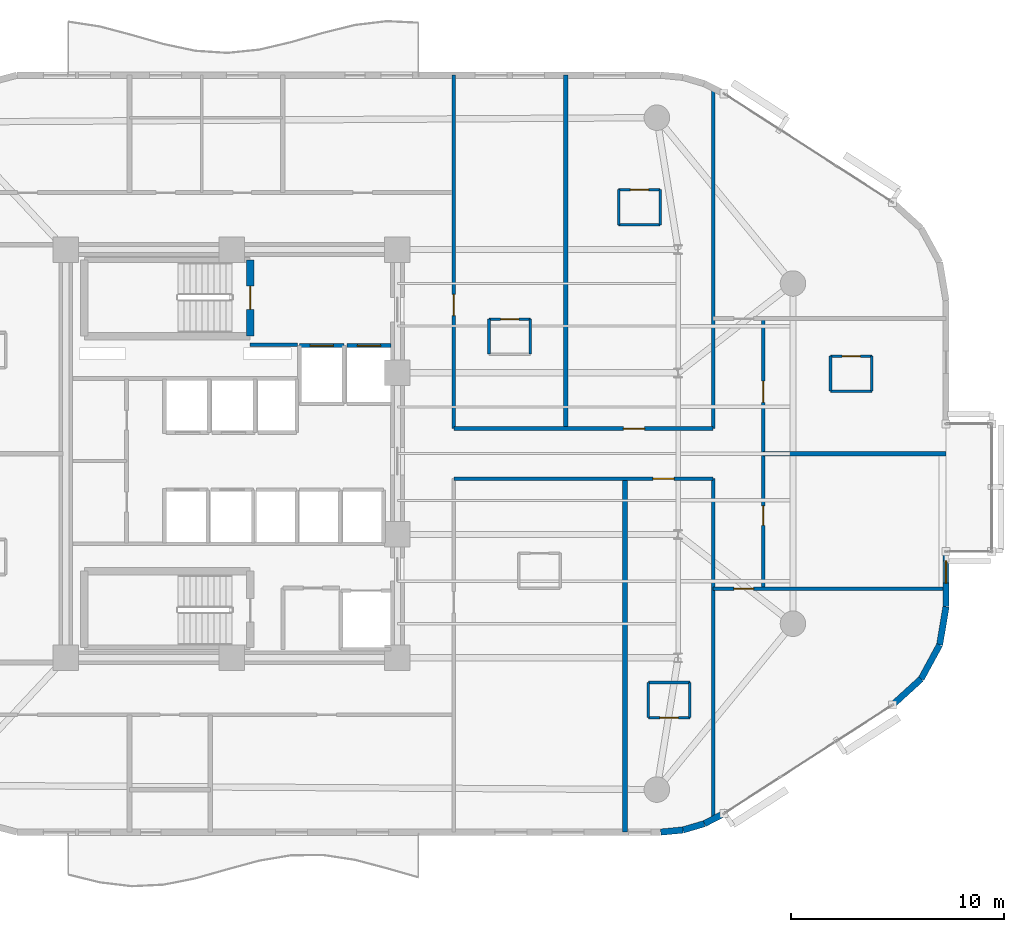
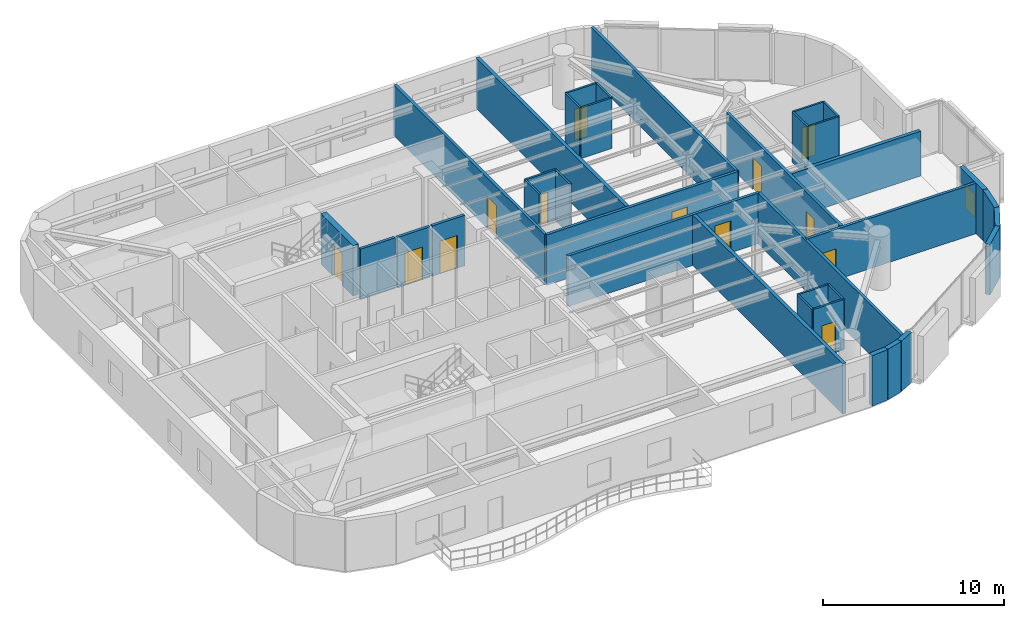
# One storey, part 13 of 16: 36 walls, 13 doors, 1 window, 14 openings.
"""IFC4 building model written with IfcOpenShell, lengths in metres."""

import ifcopenshell
import ifcopenshell.guid

model = None  # the IFC model being written
_history = None  # IfcOwnerHistory: only IFC2X3 demands one
_inside = {}  # id of a spatial element -> (the spatial element, [elements in it])
_under = {}  # id of a project, library or spatial element -> (it, [spatial elements below it])
_declared = {}  # id of a project -> (the project, [libraries it declares])
_typed = {}  # id of a type object -> (the type object, [elements of that type])
_made_of = {}  # id of a material, layer set ... -> (it, [elements and type objects made of it])


def new_model(schema):
    """Start an empty IFC model of exactly this schema.

    Asked for "IFC4X3", IfcOpenShell would pick the latest addendum, in which some entities
    have other attributes; the version numbers below select the first issue.
    IFC2X3 requires an IfcOwnerHistory on every rooted entity: one is made here for all.
    """
    global model, _history
    if schema == "IFC4X3":
        model = ifcopenshell.file(schema_version=(4, 3, 0, 0))
    else:
        model = ifcopenshell.file(schema=schema)
    _inside.clear()
    _under.clear()
    _declared.clear()
    _typed.clear()
    _made_of.clear()
    _history = None
    if model.schema == "IFC2X3":
        org = make("IfcOrganization", Name="unknown")
        user = make(
            "IfcPersonAndOrganization",
            ThePerson=make("IfcPerson", FamilyName="unknown"),
            TheOrganization=org,
        )
        app = make(
            "IfcApplication",
            ApplicationDeveloper=org,
            Version="unknown",
            ApplicationFullName="unknown",
            ApplicationIdentifier="unknown",
        )
        _history = make(
            "IfcOwnerHistory",
            OwningUser=user,
            OwningApplication=app,
            ChangeAction="ADDED",
            CreationDate=0,
        )
    return model


def make(cls, **values):
    """One entity of the class cls with the attributes given. An attribute that is None is left unset."""
    return model.create_entity(
        cls, **{name: value for name, value in values.items() if value is not None}
    )


def rooted(cls, **values):
    """An entity with a GlobalId (a new one), such as an element, a storey or a relation."""
    return make(cls, GlobalId=ifcopenshell.guid.new(), OwnerHistory=_history, **values)


def si_unit(unit_type, name, prefix=None):
    """IfcSIUnit, for example si_unit("LENGTHUNIT", "METRE", prefix="MILLI")."""
    return make("IfcSIUnit", UnitType=unit_type, Prefix=prefix, Name=name)


def assignment(units):
    """IfcUnitAssignment: the units of a project."""
    return None if units is None else make("IfcUnitAssignment", Units=units)


def point(xyz):
    """IfcCartesianPoint."""
    return None if xyz is None else make("IfcCartesianPoint", Coordinates=xyz)


def direction(xyz):
    """IfcDirection."""
    return None if xyz is None else make("IfcDirection", DirectionRatios=xyz)


def frame(location, z_axis=None, x_axis=None):
    """IfcAxis2Placement3D, a coordinate frame: its origin and axes. An axis left out is left unset."""
    return make(
        "IfcAxis2Placement3D",
        Location=point(location),
        Axis=direction(z_axis),
        RefDirection=direction(x_axis),
    )


def frame_2d(location, x_axis=None):
    """IfcAxis2Placement2D, a coordinate frame in the plane: its origin and x axis."""
    return make(
        "IfcAxis2Placement2D", Location=point(location), RefDirection=direction(x_axis)
    )


def origin():
    """The frame at (0, 0, 0) with its axes left unset."""
    return frame((0.0, 0.0, 0.0))


def place(relative_to, where):
    """IfcLocalPlacement: puts the frame where relative to a parent placement (None: the world)."""
    return make(
        "IfcLocalPlacement", PlacementRelTo=relative_to, RelativePlacement=where
    )


def context(
    kind, dimensions, precision=None, world=None, true_north=None, identifier=None
):
    """IfcGeometricRepresentationContext, for example the 3D "Model" context."""
    return make(
        "IfcGeometricRepresentationContext",
        ContextIdentifier=identifier,
        ContextType=kind,
        CoordinateSpaceDimension=dimensions,
        Precision=precision,
        WorldCoordinateSystem=world,
        TrueNorth=true_north,
    )


def subcontext(parent, identifier, kind, view, scale=None):
    """IfcGeometricRepresentationSubContext, for example "Body" below "Model"."""
    return make(
        "IfcGeometricRepresentationSubContext",
        ContextIdentifier=identifier,
        ContextType=kind,
        ParentContext=parent,
        TargetScale=scale,
        TargetView=view,
    )


def project(units=None, contexts=None):
    """IfcProject with its units and contexts."""
    return rooted(
        "IfcProject",
        Name="project",
        RepresentationContexts=contexts,
        UnitsInContext=assignment(units),
    )


def spatial(cls, under=None, at=None, **own):
    """A site, building, storey or space (cls), placed at a placement, below another one or the project."""
    s = rooted(cls, ObjectPlacement=at, **own)
    if under is not None:
        _under.setdefault(under.id(), (under, []))[1].append(s)
    return s


def profile(cls, at=None, kind="AREA", **sizes):
    """A parametric profile (cls). Its sizes go by their IFC names, for example OverallWidth=200.0."""
    return make(cls, ProfileType=kind, Position=at, **sizes)


def rectangle(**sizes):
    """IfcRectangleProfileDef."""
    return profile("IfcRectangleProfileDef", **sizes)


def extrude(swept, where, along, depth):
    """IfcExtrudedAreaSolid: the profile swept, set in the frame where, extruded along a direction by depth."""
    return make(
        "IfcExtrudedAreaSolid",
        SweptArea=swept,
        Position=where,
        ExtrudedDirection=direction(along),
        Depth=depth,
    )


def shape(context_of_items, identifier, shape_type, items):
    """IfcShapeRepresentation: the items that make up one representation, for example the "Body"."""
    return make(
        "IfcShapeRepresentation",
        ContextOfItems=context_of_items,
        RepresentationIdentifier=identifier,
        RepresentationType=shape_type,
        Items=items,
    )


def material(Name=None, Category=None):
    """IfcMaterial."""
    return make("IfcMaterial", Name=Name, Category=Category)


def layer(
    of_material, thickness, ventilated=None, Name=None, Category=None, Priority=None
):
    """IfcMaterialLayer: one layer of a wall or slab, of a material (None: an air gap)."""
    return make(
        "IfcMaterialLayer",
        Material=of_material,
        LayerThickness=thickness,
        IsVentilated=ventilated,
        Name=Name,
        Category=Category,
        Priority=Priority,
    )


def layer_set(layers, Name=None):
    """IfcMaterialLayerSet."""
    return make("IfcMaterialLayerSet", MaterialLayers=layers, LayerSetName=Name)


def made_of(thing, what):
    """Note that an element or type object is made of a material, layer set ...; save() writes the relation."""
    if what is not None:
        _made_of.setdefault(what.id(), (what, []))[1].append(thing)
    return thing


def type_object(cls, material=None, **own):
    """A type object (cls), such as IfcWallType, which elements share."""
    return made_of(rooted(cls, **own), material)


def element(
    cls,
    number,
    at=None,
    inside=None,
    cuts=None,
    type_object=None,
    material=None,
    context=None,
    identifier="Body",
    shape_type=None,
    held_by="IfcProductDefinitionShape",
    body=None,
    shapes=None,
    **own,
):
    """One element of the class cls, such as IfcWall. Its Tag is "e" and its number.

    at: its placement. inside: the storey or other place that contains it. cuts: it is an
    opening in that element (IfcRelVoidsElement). A single representation is given by context,
    identifier, shape_type and body (its items); several are given by shapes. held_by: the class
    of the entity that holds the representations. save() writes the other relations.
    """
    e = rooted(cls, Tag="e%d" % number, ObjectPlacement=at, **own)
    if body is not None:
        shapes = [shape(context, identifier, shape_type, body)]
    if shapes is not None:
        e.Representation = make(held_by, Representations=shapes)
    if inside is not None:
        _inside.setdefault(inside.id(), (inside, []))[1].append(e)
    if cuts is not None:
        rooted(
            "IfcRelVoidsElement", RelatingBuildingElement=cuts, RelatedOpeningElement=e
        )
    if type_object is not None:
        _typed.setdefault(type_object.id(), (type_object, []))[1].append(e)
    return made_of(e, material)


def fill(opening, filler):
    """IfcRelFillsElement: the door or window that sits in an opening."""
    return rooted(
        "IfcRelFillsElement",
        RelatingOpeningElement=opening,
        RelatedBuildingElement=filler,
    )


def aggregate(whole, parts):
    """IfcRelAggregates: a whole, such as a stair, and the parts it consists of."""
    return rooted("IfcRelAggregates", RelatingObject=whole, RelatedObjects=parts)


def save(model, path):
    """Write the relations noted so far, then the file.

    IfcRelAggregates (storeys below a building ...), IfcRelContainedInSpatialStructure (elements
    in a storey), IfcRelDefinesByType, IfcRelAssociatesMaterial and IfcRelDeclares: one each for
    every whole, place, type object, material and project.
    """
    for whole, parts in _under.values():
        aggregate(whole, parts)
    for where, things in _inside.values():
        rooted(
            "IfcRelContainedInSpatialStructure",
            RelatedElements=things,
            RelatingStructure=where,
        )
    for kind, things in _typed.values():
        rooted("IfcRelDefinesByType", RelatedObjects=things, RelatingType=kind)
    for what, things in _made_of.values():
        rooted("IfcRelAssociatesMaterial", RelatedObjects=things, RelatingMaterial=what)
    for by, libraries in _declared.values():
        rooted("IfcRelDeclares", RelatingContext=by, RelatedDefinitions=libraries)
    model.write(path)


model = new_model("IFC4")

# Units and contexts
model_context = context("Model", 3, precision=1e-05, world=origin(), true_north=direction((0.0, 1.0)))
body_context = subcontext(model_context, "Body", "Model", "MODEL_VIEW")
ifc_project = project(units=[si_unit("LENGTHUNIT", "METRE"), si_unit("AREAUNIT", "SQUARE_METRE"), si_unit("VOLUMEUNIT", "CUBIC_METRE"), si_unit("PLANEANGLEUNIT", "RADIAN"), si_unit("MASSUNIT", "GRAM", prefix="KILO")], contexts=[model_context])

# Site, building, storey
site_placement = place(None, origin())
site = spatial("IfcSite", under=ifc_project, at=site_placement, CompositionType="ELEMENT")
building_placement = place(site_placement, origin())
building = spatial("IfcBuilding", under=site, at=building_placement, Name="An Khanh Terracotta Commons", CompositionType="ELEMENT")
storey_placement = place(building_placement, frame((0.0, 0.0, 151.0)))
storey = spatial("IfcBuildingStorey", under=building, at=storey_placement, Name="L39", CompositionType="ELEMENT", Elevation=151.0)

# Wall
ifc_material_1 = material(Name="Fire-Rated Gypsum Board on Steel Stud", Category="steel")
ifc_layer_1 = layer(ifc_material_1, 0.179931640625, Name="Fire-Rated Gypsum Board on Steel Stud")
ifc_layer_set_1 = layer_set([ifc_layer_1], Name="Fire-Rated Gypsum Board on Steel Stud")
wall_type_1 = type_object("IfcWallType", Name="WALL-CORR-180", PredefinedType="PARTITIONING", material=ifc_layer_set_1)
wall_1_placement = place(storey_placement, frame((30.27001953125, 29.1201171875, 0.0), z_axis=(0.0, 0.0, 1.0), x_axis=(1.0, 0.0, 0.0)))
element("IfcWall", 1, at=wall_1_placement, inside=storey, type_object=wall_type_1, Name="L39 Core Wall FFLW-L39-S", PredefinedType="PARTITIONING", context=body_context, shape_type="SweptSolid", body=[
    extrude(rectangle(XDim=2.239990234375, YDim=0.179931640625, at=frame_2d((1.1201171875, 0.0))), origin(), (0.0, 0.0, 1.0), 3.39990234375),
])

# Wall, opening, door
wall_2_placement = place(storey_placement, frame((32.60009765625, 29.080078125, 0.0), z_axis=(0.0, 0.0, 1.0), x_axis=(1.0, 0.0, 0.0)))
wall_2 = element("IfcWall", 2, at=wall_2_placement, inside=storey, type_object=wall_type_1, Name="L39 Core Wall LSH-L39-FFL-01-N", PredefinedType="PARTITIONING", context=body_context, shape_type="SweptSolid", body=[
    extrude(rectangle(XDim=2.079833984375, YDim=0.179931640625, at=frame_2d((1.0400390625, 0.0))), origin(), (0.0, 0.0, 1.0), 3.39990234375),
])
opening_1_placement = place(wall_2_placement, frame((0.489990234375, 0.0, 0.0)))
opening_1 = element("IfcOpeningElement", 3, at=opening_1_placement, cuts=wall_2, Name="Opening LD-FFL-01-L39", PredefinedType="OPENING", context=body_context, shape_type="SweptSolid", body=[
    extrude(rectangle(XDim=1.10009765625, YDim=2.199951171875, at=frame_2d((0.550048828125, 1.10009765625))), frame((0.0, 0.099853515625, 0.0), z_axis=(0.0, -1.0, 0.0), x_axis=(1.0, 0.0, 0.0)), (0.0, 0.0, 1.0), 0.199951171875),
])
ifc_material_2 = material(Name="Brushed Stainless Steel Fire Landing Door", Category="steel")
door_type_1 = type_object("IfcDoorType", Name="DOOR-LD-FFL-1100", OperationType="NOTDEFINED", PredefinedType="DOOR", material=ifc_material_2)
door_1_placement = place(opening_1_placement, origin())
door_1 = element("IfcDoor", 4, at=door_1_placement, inside=storey, type_object=door_type_1, Name="L39 Lift FFL-01 Sliding Landing Door", OperationType="DOUBLE_DOOR_SLIDING", OverallHeight=2.199951171875, OverallWidth=1.10009765625, PredefinedType="DOOR", context=body_context, shape_type="SweptSolid", body=[
    extrude(rectangle(XDim=1.10009765625, YDim=2.199951171875, at=frame_2d((0.550048828125, 1.10009765625))), frame((0.0, 0.02490234375, 0.0), z_axis=(0.0, -1.0, 0.0), x_axis=(1.0, 0.0, 0.0)), (0.0, 0.0, 1.0), 0.050048828125),
])
fill(opening_1, door_1)

wall_3_placement = place(storey_placement, frame((34.820068359375, 29.080078125, 0.0), z_axis=(0.0, 0.0, 1.0), x_axis=(1.0, 0.0, 0.0)))
wall_3 = element("IfcWall", 5, at=wall_3_placement, inside=storey, type_object=wall_type_1, Name="L39 Core Wall LSH-L39-FFL-02-N", PredefinedType="PARTITIONING", context=body_context, shape_type="SweptSolid", body=[
    extrude(rectangle(XDim=2.079833984375, YDim=0.179931640625, at=frame_2d((1.0400390625, 0.0))), origin(), (0.0, 0.0, 1.0), 3.39990234375),
])
opening_2_placement = place(wall_3_placement, frame((0.489990234375, 0.0, 0.0)))
opening_2 = element("IfcOpeningElement", 6, at=opening_2_placement, cuts=wall_3, Name="Opening LD-FFL-02-L39", PredefinedType="OPENING", context=body_context, shape_type="SweptSolid", body=[
    extrude(rectangle(XDim=1.10009765625, YDim=2.199951171875, at=frame_2d((0.550048828125, 1.10009765625))), frame((0.0, 0.099853515625, 0.0), z_axis=(0.0, -1.0, 0.0), x_axis=(1.0, 0.0, 0.0)), (0.0, 0.0, 1.0), 0.199951171875),
])
door_2_placement = place(opening_2_placement, origin())
door_2 = element("IfcDoor", 7, at=door_2_placement, inside=storey, type_object=door_type_1, Name="L39 Lift FFL-02 Sliding Landing Door", OperationType="DOUBLE_DOOR_SLIDING", OverallHeight=2.199951171875, OverallWidth=1.10009765625, PredefinedType="DOOR", context=body_context, shape_type="SweptSolid", body=[
    extrude(rectangle(XDim=1.10009765625, YDim=2.199951171875, at=frame_2d((0.550048828125, 1.10009765625))), frame((0.0, 0.02490234375, 0.0), z_axis=(0.0, -1.0, 0.0), x_axis=(1.0, 0.0, 0.0)), (0.0, 0.0, 1.0), 0.050048828125),
])
fill(opening_2, door_2)

wall_4_placement = place(storey_placement, frame((52.050048828125, 17.64990234375, 0.0), z_axis=(0.0, 0.0, 1.0), x_axis=(1.0, 0.0, 0.0)))
wall_4 = element("IfcWall", 8, at=wall_4_placement, inside=storey, type_object=wall_type_1, Name="L39 Interior Partition IW-L39-E004", PredefinedType="PARTITIONING", context=body_context, shape_type="SweptSolid", body=[
    extrude(rectangle(XDim=10.949951171875, YDim=0.179931640625, at=frame_2d((5.47509765625, 0.0))), origin(), (0.0, 0.0, 1.0), 3.39990234375),
])
opening_3_placement = place(wall_4_placement, frame((0.97509765625, 0.0, 0.0)))
opening_3 = element("IfcOpeningElement", 9, at=opening_3_placement, cuts=wall_4, Name="Opening D-RM", PredefinedType="OPENING", context=body_context, shape_type="SweptSolid", body=[
    extrude(rectangle(XDim=0.919921875, YDim=2.10009765625, at=frame_2d((0.4599609375, 1.050048828125))), frame((0.0, 0.099853515625, 0.0), z_axis=(0.0, -1.0, 0.0), x_axis=(1.0, 0.0, 0.0)), (0.0, 0.0, 1.0), 0.199951171875),
])
ifc_material_3 = material(Name="Engineered Hardwood Timber Leaf", Category="wood")
door_type_2 = type_object("IfcDoorType", Name="DOOR-INT-920", OperationType="NOTDEFINED", PredefinedType="DOOR", material=ifc_material_3)
door_3_placement = place(opening_3_placement, origin())
door_3 = element("IfcDoor", 10, at=door_3_placement, inside=storey, type_object=door_type_2, Name="L39 CAPS Quiet Focus Office Door", OperationType="SINGLE_SWING_LEFT", OverallHeight=2.10009765625, OverallWidth=0.919921875, PredefinedType="DOOR", context=body_context, shape_type="SweptSolid", body=[
    extrude(rectangle(XDim=0.919921875, YDim=2.10009765625, at=frame_2d((0.4599609375, 1.050048828125))), frame((0.0, 0.02490234375, 0.0), z_axis=(0.0, -1.0, 0.0), x_axis=(1.0, 0.0, 0.0)), (0.0, 0.0, 1.0), 0.050048828125),
])
fill(opening_3, door_3)

wall_5_placement = place(storey_placement, frame((39.85009765625, 22.820068359375, 0.0), z_axis=(0.0, 0.0, 1.0), x_axis=(1.0, 0.0, 0.0)))
wall_5 = element("IfcWall", 11, at=wall_5_placement, inside=storey, type_object=wall_type_1, Name="L39 Interior Partition IW-L39-E005", PredefinedType="PARTITIONING", context=body_context, shape_type="SweptSolid", body=[
    extrude(rectangle(XDim=12.199951171875, YDim=0.179931640625, at=frame_2d((6.10009765625, 0.0))), origin(), (0.0, 0.0, 1.0), 3.39990234375),
])
opening_4_placement = place(wall_5_placement, frame((9.365966796875, 0.0, 0.0)))
opening_4 = element("IfcOpeningElement", 12, at=opening_4_placement, cuts=wall_5, Name="Opening D-UN", PredefinedType="OPENING", context=body_context, shape_type="SweptSolid", body=[
    extrude(rectangle(XDim=1.0, YDim=2.14990234375, at=frame_2d((0.5, 1.074951171875))), frame((0.0, 0.099853515625, 0.0), z_axis=(0.0, -1.0, 0.0), x_axis=(1.0, 0.0, 0.0)), (0.0, 0.0, 1.0), 0.199951171875),
])
ifc_material_4 = material(Name="Solid-Core Hardwood Acoustic Fire Door", Category="wood")
door_type_3 = type_object("IfcDoorType", Name="DOOR-UNIT-1000", OperationType="NOTDEFINED", PredefinedType="DOOR", material=ifc_material_4)
door_4_placement = place(opening_4_placement, origin())
door_4 = element("IfcDoor", 13, at=door_4_placement, inside=storey, type_object=door_type_3, Name="L39 SB2 Kitchenette and Studio Apartment Door", OperationType="SINGLE_SWING_LEFT", OverallHeight=2.14990234375, OverallWidth=1.0, PredefinedType="DOOR", context=body_context, shape_type="SweptSolid", body=[
    extrude(rectangle(XDim=1.0, YDim=2.14990234375, at=frame_2d((0.5, 1.074951171875))), frame((0.0, 0.02490234375, 0.0), z_axis=(0.0, -1.0, 0.0), x_axis=(1.0, 0.0, 0.0)), (0.0, 0.0, 1.0), 0.050048828125),
])
fill(opening_4, door_4)

wall_6_placement = place(storey_placement, frame((39.85009765625, 25.179931640625, 0.0), z_axis=(0.0, 0.0, 1.0), x_axis=(1.0, 0.0, 0.0)))
wall_6 = element("IfcWall", 14, at=wall_6_placement, inside=storey, type_object=wall_type_1, Name="L39 Interior Partition IW-L39-E008", PredefinedType="PARTITIONING", context=body_context, shape_type="SweptSolid", body=[
    extrude(rectangle(XDim=12.199951171875, YDim=0.179931640625, at=frame_2d((6.10009765625, 0.0))), origin(), (0.0, 0.0, 1.0), 3.39990234375),
])
opening_5_placement = place(wall_6_placement, frame((7.969970703125, 0.0, 0.0)))
opening_5 = element("IfcOpeningElement", 15, at=opening_5_placement, cuts=wall_6, Name="Opening D-UN", PredefinedType="OPENING", context=body_context, shape_type="SweptSolid", body=[
    extrude(rectangle(XDim=1.0, YDim=2.14990234375, at=frame_2d((0.5, 1.074951171875))), frame((0.0, 0.099853515625, 0.0), z_axis=(0.0, -1.0, 0.0), x_axis=(1.0, 0.0, 0.0)), (0.0, 0.0, 1.0), 0.199951171875),
])
door_5_placement = place(opening_5_placement, origin())
door_5 = element("IfcDoor", 16, at=door_5_placement, inside=storey, type_object=door_type_3, Name="L39 NB2 Kitchenette and Studio Apartment Door", OperationType="SINGLE_SWING_LEFT", OverallHeight=2.14990234375, OverallWidth=1.0, PredefinedType="DOOR", context=body_context, shape_type="SweptSolid", body=[
    extrude(rectangle(XDim=1.0, YDim=2.14990234375, at=frame_2d((0.5, 1.074951171875))), frame((0.0, 0.02490234375, 0.0), z_axis=(0.0, -1.0, 0.0), x_axis=(1.0, 0.0, 0.0)), (0.0, 0.0, 1.0), 0.050048828125),
])
fill(opening_5, door_5)

wall_7_placement = place(storey_placement, frame((39.85009765625, 25.179931640625, 0.0), z_axis=(0.0, 0.0, 1.0), x_axis=(0.0, 1.0, 0.0)))
wall_7 = element("IfcWall", 17, at=wall_7_placement, inside=storey, type_object=wall_type_1, Name="L39 Interior Partition IW-L39-E021", PredefinedType="PARTITIONING", context=body_context, shape_type="SweptSolid", body=[
    extrude(rectangle(XDim=16.6201171875, YDim=0.179931640625, at=frame_2d((8.31005859375, 0.0))), origin(), (0.0, 0.0, 1.0), 3.39990234375),
])
opening_6_placement = place(wall_7_placement, frame((5.31005859375, 0.0, 0.0)))
opening_6 = element("IfcOpeningElement", 18, at=opening_6_placement, cuts=wall_7, Name="Opening D-UN", PredefinedType="OPENING", context=body_context, shape_type="SweptSolid", body=[
    extrude(rectangle(XDim=1.0, YDim=2.14990234375, at=frame_2d((0.5, 1.074951171875))), frame((0.0, 0.099853515625, 0.0), z_axis=(0.0, -1.0, 0.0), x_axis=(1.0, 0.0, 0.0)), (0.0, 0.0, 1.0), 0.199951171875),
])
door_6_placement = place(opening_6_placement, origin())
door_6 = element("IfcDoor", 19, at=door_6_placement, inside=storey, type_object=door_type_3, Name="L39 NB1 Kitchenette and Studio Apartment Door", OperationType="SINGLE_SWING_RIGHT", OverallHeight=2.14990234375, OverallWidth=1.0, PredefinedType="DOOR", context=body_context, shape_type="SweptSolid", body=[
    extrude(rectangle(XDim=1.0, YDim=2.14990234375, at=frame_2d((0.5, 1.074951171875))), frame((0.0, 0.02490234375, 0.0), z_axis=(0.0, -1.0, 0.0), x_axis=(1.0, 0.0, 0.0)), (0.0, 0.0, 1.0), 0.050048828125),
])
fill(opening_6, door_6)

# Walls
for number, where, z_axis, x_axis, name in (
    (20, (52.050048828125, 6.81201171875, 0.0), (0.0, 0.0, 1.0), (0.0, 1.0, 0.0), "L39 Interior Partition IW-L39-E024"),
    (21, (52.050048828125, 25.179931640625, 0.0), (0.0, 0.0, 1.0), (0.0, 1.0, 0.0), "L39 Interior Partition IW-L39-E025"),
):
    element("IfcWall", number, at=place(storey_placement, frame(where, z_axis=z_axis, x_axis=x_axis)), inside=storey, type_object=wall_type_1, Name=name, PredefinedType="PARTITIONING", context=body_context, shape_type="SweptSolid", body=[
        extrude(rectangle(XDim=16.008056640625, YDim=0.179931640625, at=frame_2d((8.00390625, 0.0))), origin(), (0.0, 0.0, 1.0), 3.39990234375),
    ])

# Wall, openings, doors
wall_8_placement = place(storey_placement, frame((54.39990234375, 17.64990234375, 0.0), z_axis=(0.0, 0.0, 1.0), x_axis=(0.0, 1.0, 0.0)))
wall_8 = element("IfcWall", 22, at=wall_8_placement, inside=storey, type_object=wall_type_1, Name="L39 Interior Partition IW-L39-E026", PredefinedType="PARTITIONING", context=body_context, shape_type="SweptSolid", body=[
    extrude(rectangle(XDim=12.7001953125, YDim=0.179931640625, at=frame_2d((6.35009765625, 0.0))), origin(), (0.0, 0.0, 1.0), 3.39990234375),
])
opening_7_placement = place(wall_8_placement, frame((8.764892578125, 0.0, 0.0)))
opening_7 = element("IfcOpeningElement", 23, at=opening_7_placement, cuts=wall_8, Name="Opening D-UN", PredefinedType="OPENING", context=body_context, shape_type="SweptSolid", body=[
    extrude(rectangle(XDim=1.0, YDim=2.14990234375, at=frame_2d((0.5, 1.074951171875))), frame((0.0, 0.099853515625, 0.0), z_axis=(0.0, -1.0, 0.0), x_axis=(1.0, 0.0, 0.0)), (0.0, 0.0, 1.0), 0.199951171875),
])
opening_8_placement = place(wall_8_placement, frame((2.97509765625, 0.0, 0.0)))
opening_8 = element("IfcOpeningElement", 24, at=opening_8_placement, cuts=wall_8, Name="Opening D-RM", PredefinedType="OPENING", context=body_context, shape_type="SweptSolid", body=[
    extrude(rectangle(XDim=0.919921875, YDim=2.10009765625, at=frame_2d((0.4599609375, 1.050048828125))), frame((0.0, 0.099853515625, 0.0), z_axis=(0.0, -1.0, 0.0), x_axis=(1.0, 0.0, 0.0)), (0.0, 0.0, 1.0), 0.199951171875),
])
door_7_placement = place(opening_8_placement, origin())
door_7 = element("IfcDoor", 25, at=door_7_placement, inside=storey, type_object=door_type_2, Name="L39 EF2 Riverfront Study Lounge Door", OperationType="SINGLE_SWING_LEFT", OverallHeight=2.10009765625, OverallWidth=0.919921875, PredefinedType="DOOR", context=body_context, shape_type="SweptSolid", body=[
    extrude(rectangle(XDim=0.919921875, YDim=2.10009765625, at=frame_2d((0.4599609375, 1.050048828125))), frame((0.0, 0.02490234375, 0.0), z_axis=(0.0, -1.0, 0.0), x_axis=(1.0, 0.0, 0.0)), (0.0, 0.0, 1.0), 0.050048828125),
])
fill(opening_8, door_7)
door_8_placement = place(opening_7_placement, origin())
door_8 = element("IfcDoor", 26, at=door_8_placement, inside=storey, type_object=door_type_3, Name="L39 EF1 Kitchenette and Studio Apartment Door", OperationType="SINGLE_SWING_RIGHT", OverallHeight=2.14990234375, OverallWidth=1.0, PredefinedType="DOOR", context=body_context, shape_type="SweptSolid", body=[
    extrude(rectangle(XDim=1.0, YDim=2.14990234375, at=frame_2d((0.5, 1.074951171875))), frame((0.0, 0.02490234375, 0.0), z_axis=(0.0, -1.0, 0.0), x_axis=(1.0, 0.0, 0.0)), (0.0, 0.0, 1.0), 0.050048828125),
])
fill(opening_7, door_8)

# Walls
ifc_material_5 = material(Name="Precast concrete C40/50", Category="concrete")
ifc_layer_2 = layer(ifc_material_5, 0.300048828125, Name="Precast concrete C40/50")
ifc_layer_set_2 = layer_set([ifc_layer_2], Name="Precast concrete C40/50")
wall_type_2 = type_object("IfcWallType", Name="WALL-EXT-300", PredefinedType="SOLIDWALL", material=ifc_layer_set_2)
wall_9_placement = place(storey_placement, frame((49.58203125, 6.199951171875, 0.0), z_axis=(0.0, 0.0, 1.0), x_axis=(0.995426089968, 0.095534807324, 0.0)))
element("IfcWall", 27, at=wall_9_placement, inside=storey, type_object=wall_type_2, Name="L39 Insulated Terracotta Exterior Wall 5", PredefinedType="SOLIDWALL", context=body_context, shape_type="SweptSolid", body=[
    extrude(rectangle(XDim=1.0478515625, YDim=0.300048828125, at=frame_2d((0.52392578125, 0.0))), origin(), (0.0, 0.0, 1.0), 3.39990234375),
])
wall_10_placement = place(storey_placement, frame((50.625, 6.300048828125, 0.0), z_axis=(0.0, 0.0, 1.0), x_axis=(0.959528674476, 0.281610942363, 0.0)))
element("IfcWall", 28, at=wall_10_placement, inside=storey, type_object=wall_type_2, Name="L39 Insulated Terracotta Exterior Wall 6", PredefinedType="SOLIDWALL", context=body_context, shape_type="SweptSolid", body=[
    extrude(rectangle(XDim=1.04736328125, YDim=0.300048828125, at=frame_2d((0.523681640625, 0.0))), origin(), (0.0, 0.0, 1.0), 3.39990234375),
])
wall_11_placement = place(storey_placement, frame((51.6298828125, 6.594970703125, 0.0), z_axis=(0.0, 0.0, 1.0), x_axis=(0.888283247196, 0.459296062198, 0.0)))
element("IfcWall", 29, at=wall_11_placement, inside=storey, type_object=wall_type_2, Name="L39 Insulated Terracotta Exterior Wall 7", PredefinedType="SOLIDWALL", context=body_context, shape_type="SweptSolid", body=[
    extrude(rectangle(XDim=1.047119140625, YDim=0.300048828125, at=frame_2d((0.5234375, 0.0))), origin(), (0.0, 0.0, 1.0), 3.39990234375),
])
wall_12_placement = place(storey_placement, frame((60.47802734375, 12.176025390625, 0.0), z_axis=(0.0, 0.0, 1.0), x_axis=(0.73947929393, 0.673179302897, 0.0)))
element("IfcWall", 30, at=wall_12_placement, inside=storey, type_object=wall_type_2, Name="L39 Insulated Terracotta Exterior Wall 9", PredefinedType="SOLIDWALL", context=body_context, shape_type="SweptSolid", body=[
    extrude(rectangle(XDim=1.82275390625, YDim=0.300048828125, at=frame_2d((0.911376953125, 0.0))), origin(), (0.0, 0.0, 1.0), 3.39990234375),
])
wall_13_placement = place(storey_placement, frame((61.825927734375, 13.403076171875, 0.0), z_axis=(0.0, 0.0, 1.0), x_axis=(0.478608030646, 0.878028674362, 0.0)))
element("IfcWall", 31, at=wall_13_placement, inside=storey, type_object=wall_type_2, Name="L39 Insulated Terracotta Exterior Wall 10", PredefinedType="SOLIDWALL", context=body_context, shape_type="SweptSolid", body=[
    extrude(rectangle(XDim=1.822021484375, YDim=0.300048828125, at=frame_2d((0.9111328125, 0.0))), origin(), (0.0, 0.0, 1.0), 3.39990234375),
])
wall_14_placement = place(storey_placement, frame((62.697998046875, 15.0029296875, 0.0), z_axis=(0.0, 0.0, 1.0), x_axis=(0.165724081207, 0.986172159873, 0.0)))
element("IfcWall", 32, at=wall_14_placement, inside=storey, type_object=wall_type_2, Name="L39 Insulated Terracotta Exterior Wall 11", PredefinedType="SOLIDWALL", context=body_context, shape_type="SweptSolid", body=[
    extrude(rectangle(XDim=1.822265625, YDim=0.300048828125, at=frame_2d((0.9111328125, 0.0))), origin(), (0.0, 0.0, 1.0), 3.39990234375),
])

# Wall, opening, window
wall_15_placement = place(storey_placement, frame((63.0, 16.800048828125, 0.0), z_axis=(0.0, 0.0, 1.0), x_axis=(0.0, 1.0, 0.0)))
wall_15 = element("IfcWall", 33, at=wall_15_placement, inside=storey, type_object=wall_type_2, Name="L39 East Nose Wall South", PredefinedType="SOLIDWALL", context=body_context, shape_type="SweptSolid", body=[
    extrude(rectangle(XDim=2.599853515625, YDim=0.300048828125, at=frame_2d((1.2998046875, 0.0))), origin(), (0.0, 0.0, 1.0), 3.39990234375),
])
opening_9_placement = place(wall_15_placement, frame((1.10498046875, 0.0, 0.85009765625)))
opening_9 = element("IfcOpeningElement", 34, at=opening_9_placement, cuts=wall_15, Name="Opening W-06", PredefinedType="OPENING", context=body_context, shape_type="SweptSolid", body=[
    extrude(rectangle(XDim=1.050048828125, YDim=1.550048828125, at=frame_2d((0.52490234375, 0.77490234375))), frame((0.0, 0.159912109375, 0.0), z_axis=(0.0, -1.0, 0.0), x_axis=(1.0, 0.0, 0.0)), (0.0, 0.0, 1.0), 0.320068359375),
])
ifc_material_6 = material(Name="Thermally Broken Aluminium and Low-E Glass", Category="aluminium")
window_type = type_object("IfcWindowType", Name="WIN-COR-1050x1550", PartitioningType="SINGLE_PANEL", PredefinedType="WINDOW", material=ifc_material_6)
window_placement = place(opening_9_placement, origin())
window = element("IfcWindow", 35, at=window_placement, inside=storey, type_object=window_type, Name="L39 East Nose South Casement Window", OverallHeight=1.550048828125, OverallWidth=1.050048828125, PartitioningType="SINGLE_PANEL", PredefinedType="WINDOW", context=body_context, shape_type="SweptSolid", body=[
    extrude(rectangle(XDim=1.050048828125, YDim=1.550048828125, at=frame_2d((0.52490234375, 0.77490234375))), frame((0.0, 0.030029296875, 0.0), z_axis=(0.0, -1.0, 0.0), x_axis=(1.0, 0.0, 0.0)), (0.0, 0.0, 1.0), 0.06005859375),
])
fill(opening_9, window)

# Walls
ifc_material_7 = material(Name="Acoustic Double-Stud Gypsum and Mineral Wool")
ifc_layer_3 = layer(ifc_material_7, 0.219970703125, Name="Acoustic Double-Stud Gypsum and Mineral Wool")
ifc_layer_set_3 = layer_set([ifc_layer_3], Name="Acoustic Double-Stud Gypsum and Mineral Wool")
wall_type_3 = type_object("IfcWallType", Name="WALL-PARTY-220", PredefinedType="PARTITIONING", material=ifc_layer_set_3)
wall_16_placement = place(storey_placement, frame((54.39990234375, 24.0, 0.0), z_axis=(0.0, 0.0, 1.0), x_axis=(1.0, 0.0, 0.0)))
element("IfcWall", 36, at=wall_16_placement, inside=storey, type_object=wall_type_3, Name="L39 Interior Partition IW-L39-E007", PredefinedType="PARTITIONING", context=body_context, shape_type="SweptSolid", body=[
    extrude(rectangle(XDim=8.60009765625, YDim=0.219970703125, at=frame_2d((4.300048828125, 0.0))), origin(), (0.0, 0.0, 1.0), 3.02197265625),
])
for number, where, z_axis, x_axis, name in (
    (37, (45.10888671875, 25.179931640625, 0.0), (0.0, 0.0, 1.0), (0.0, 1.0, 0.0), "L39 Interior Partition IW-L39-E022"),
    (38, (47.902099609375, 6.199951171875, 0.0), (0.0, 0.0, 1.0), (0.0, 1.0, 0.0), "L39 Interior Partition IW-L39-E023"),
):
    element("IfcWall", number, at=place(storey_placement, frame(where, z_axis=z_axis, x_axis=x_axis)), inside=storey, type_object=wall_type_3, Name=name, PredefinedType="PARTITIONING", context=body_context, shape_type="SweptSolid", body=[
        extrude(rectangle(XDim=16.6201171875, YDim=0.219970703125, at=frame_2d((8.31005859375, 0.0))), origin(), (0.0, 0.0, 1.0), 3.39990234375),
    ])

# Wall, opening, door
ifc_material_8 = material(Name="Concrete C50/60", Category="concrete")
ifc_layer_4 = layer(ifc_material_8, 0.35009765625, Name="Concrete C50/60")
ifc_layer_set_4 = layer_set([ifc_layer_4], Name="Concrete C50/60")
wall_type_4 = type_object("IfcWallType", Name="WALL-SHAFT-350", PredefinedType="SOLIDWALL", material=ifc_layer_set_4)
wall_17_placement = place(storey_placement, frame((30.27001953125, 29.530029296875, 0.0), z_axis=(0.0, 0.0, 1.0), x_axis=(0.0, 1.0, 0.0)))
wall_17 = element("IfcWall", 39, at=wall_17_placement, inside=storey, type_object=wall_type_4, Name="L39 Core Wall STW-L39-N-E", PredefinedType="SOLIDWALL", context=body_context, shape_type="SweptSolid", body=[
    extrude(rectangle(XDim=3.580078125, YDim=0.35009765625, at=frame_2d((1.7900390625, 0.0))), origin(), (0.0, 0.0, 1.0), 3.39990234375),
])
opening_10_placement = place(wall_17_placement, frame((1.25, 0.0, 0.0)))
opening_10 = element("IfcOpeningElement", 40, at=opening_10_placement, cuts=wall_17, Name="Opening D-ST", PredefinedType="OPENING", context=body_context, shape_type="SweptSolid", body=[
    extrude(rectangle(XDim=1.10009765625, YDim=2.14990234375, at=frame_2d((0.550048828125, 1.074951171875))), frame((0.0, 0.18505859375, 0.0), z_axis=(0.0, -1.0, 0.0), x_axis=(1.0, 0.0, 0.0)), (0.0, 0.0, 1.0), 0.3701171875),
])
ifc_material_9 = material(Name="Fire-Rated Steel Leaf and Frame", Category="steel")
door_type_4 = type_object("IfcDoorType", Name="DOOR-STAIR-1100", OperationType="NOTDEFINED", PredefinedType="DOOR", material=ifc_material_9)
door_9_placement = place(opening_10_placement, origin())
door_9 = element("IfcDoor", 41, at=door_9_placement, inside=storey, type_object=door_type_4, Name="L39 Stair ST-01 Fire Door", OperationType="SINGLE_SWING_LEFT", OverallHeight=2.14990234375, OverallWidth=1.10009765625, PredefinedType="DOOR", context=body_context, shape_type="SweptSolid", body=[
    extrude(rectangle(XDim=1.10009765625, YDim=2.14990234375, at=frame_2d((0.550048828125, 1.074951171875))), frame((0.0, 0.02490234375, 0.0), z_axis=(0.0, -1.0, 0.0), x_axis=(1.0, 0.0, 0.0)), (0.0, 0.0, 1.0), 0.050048828125),
])
fill(opening_10, door_9)

ifc_material_10 = material(Name="Moisture-Resistant Cement Board Partition")
ifc_layer_5 = layer(ifc_material_10, 0.1201171875, Name="Moisture-Resistant Cement Board Partition")
ifc_layer_set_5 = layer_set([ifc_layer_5], Name="Moisture-Resistant Cement Board Partition")
wall_type_5 = type_object("IfcWallType", Name="WALL-WET-120", PredefinedType="PARTITIONING", material=ifc_layer_set_5)
wall_18_placement = place(storey_placement, frame((41.5048828125, 30.324951171875, 0.0), z_axis=(0.0, 0.0, 1.0), x_axis=(1.0, 0.0, 0.0)))
wall_18 = element("IfcWall", 42, at=wall_18_placement, inside=storey, type_object=wall_type_5, Name="L39 Interior Partition IW-L39-NB1-BN", PredefinedType="PARTITIONING", context=body_context, shape_type="SweptSolid", body=[
    extrude(rectangle(XDim=1.9501953125, YDim=0.1201171875, at=frame_2d((0.97509765625, 0.0))), origin(), (0.0, 0.0, 1.0), 3.39990234375),
])
opening_11_placement = place(wall_18_placement, frame((0.544921875, 0.0, 0.0)))
opening_11 = element("IfcOpeningElement", 43, at=opening_11_placement, cuts=wall_18, Name="Opening D-ENS", PredefinedType="OPENING", context=body_context, shape_type="SweptSolid", body=[
    extrude(rectangle(XDim=0.860107421875, YDim=2.10009765625, at=frame_2d((0.43017578125, 1.050048828125))), frame((0.0, 0.070068359375, 0.0), z_axis=(0.0, -1.0, 0.0), x_axis=(1.0, 0.0, 0.0)), (0.0, 0.0, 1.0), 0.14013671875),
])
ifc_material_11 = material(Name="Moisture-Resistant Hardwood Timber Leaf", Category="wood")
door_type_5 = type_object("IfcDoorType", Name="DOOR-BATH-860", OperationType="NOTDEFINED", PredefinedType="DOOR", material=ifc_material_11)
door_10_placement = place(opening_11_placement, origin())
door_10 = element("IfcDoor", 44, at=door_10_placement, inside=storey, type_object=door_type_5, Name="L39 Studio NB1 En-suite Door", OperationType="SINGLE_SWING_RIGHT", OverallHeight=2.10009765625, OverallWidth=0.860107421875, PredefinedType="DOOR", context=body_context, shape_type="SweptSolid", body=[
    extrude(rectangle(XDim=0.860107421875, YDim=2.10009765625, at=frame_2d((0.43017578125, 1.050048828125))), frame((0.0, 0.02490234375, 0.0), z_axis=(0.0, -1.0, 0.0), x_axis=(1.0, 0.0, 0.0)), (0.0, 0.0, 1.0), 0.050048828125),
])
fill(opening_11, door_10)

# Walls
for number, where, z_axis, x_axis, name in (
    (45, (41.5048828125, 30.324951171875, 0.0), (0.0, 0.0, 1.0), (0.0, -1.0, 0.0), "L39 Interior Partition IW-L39-NB1-BW"),
    (46, (43.455078125, 28.675048828125, 0.0), (0.0, 0.0, 1.0), (0.0, 1.0, 0.0), "L39 Interior Partition IW-L39-NB1-BE"),
):
    element("IfcWall", number, at=place(storey_placement, frame(where, z_axis=z_axis, x_axis=x_axis)), inside=storey, type_object=wall_type_5, Name=name, PredefinedType="PARTITIONING", context=body_context, shape_type="SweptSolid", body=[
        extrude(rectangle(XDim=1.64990234375, YDim=0.1201171875, at=frame_2d((0.824951171875, 0.0))), origin(), (0.0, 0.0, 1.0), 3.39990234375),
    ])

# Wall, opening, door
wall_19_placement = place(storey_placement, frame((47.60400390625, 36.4140625, 0.0), z_axis=(0.0, 0.0, 1.0), x_axis=(1.0, 0.0, 0.0)))
wall_19 = element("IfcWall", 47, at=wall_19_placement, inside=storey, type_object=wall_type_5, Name="L39 Interior Partition IW-L39-NB2-BN", PredefinedType="PARTITIONING", context=body_context, shape_type="SweptSolid", body=[
    extrude(rectangle(XDim=1.949951171875, YDim=0.1201171875, at=frame_2d((0.97509765625, 0.0))), origin(), (0.0, 0.0, 1.0), 3.39990234375),
])
opening_12_placement = place(wall_19_placement, frame((0.544921875, 0.0, 0.0)))
opening_12 = element("IfcOpeningElement", 48, at=opening_12_placement, cuts=wall_19, Name="Opening D-ENS", PredefinedType="OPENING", context=body_context, shape_type="SweptSolid", body=[
    extrude(rectangle(XDim=0.860107421875, YDim=2.10009765625, at=frame_2d((0.43017578125, 1.050048828125))), frame((0.0, 0.070068359375, 0.0), z_axis=(0.0, -1.0, 0.0), x_axis=(1.0, 0.0, 0.0)), (0.0, 0.0, 1.0), 0.14013671875),
])
door_11_placement = place(opening_12_placement, origin())
door_11 = element("IfcDoor", 49, at=door_11_placement, inside=storey, type_object=door_type_5, Name="L39 Studio NB2 En-suite Door", OperationType="SINGLE_SWING_LEFT", OverallHeight=2.10009765625, OverallWidth=0.860107421875, PredefinedType="DOOR", context=body_context, shape_type="SweptSolid", body=[
    extrude(rectangle(XDim=0.860107421875, YDim=2.10009765625, at=frame_2d((0.43017578125, 1.050048828125))), frame((0.0, 0.02490234375, 0.0), z_axis=(0.0, -1.0, 0.0), x_axis=(1.0, 0.0, 0.0)), (0.0, 0.0, 1.0), 0.050048828125),
])
fill(opening_12, door_11)

# Walls
wall_20_placement = place(storey_placement, frame((49.553955078125, 34.763916015625, 0.0), z_axis=(0.0, 0.0, 1.0), x_axis=(-1.0, 0.0, 0.0)))
element("IfcWall", 50, at=wall_20_placement, inside=storey, type_object=wall_type_5, Name="L39 Interior Partition IW-L39-NB2-BS", PredefinedType="PARTITIONING", context=body_context, shape_type="SweptSolid", body=[
    extrude(rectangle(XDim=1.949951171875, YDim=0.1201171875, at=frame_2d((0.97509765625, 0.0))), origin(), (0.0, 0.0, 1.0), 3.39990234375),
])
for number, where, z_axis, x_axis, name in (
    (51, (47.60400390625, 36.4140625, 0.0), (0.0, 0.0, 1.0), (0.0, -1.0, 0.0), "L39 Interior Partition IW-L39-NB2-BW"),
    (52, (49.553955078125, 34.763916015625, 0.0), (0.0, 0.0, 1.0), (0.0, 1.0, 0.0), "L39 Interior Partition IW-L39-NB2-BE"),
):
    element("IfcWall", number, at=place(storey_placement, frame(where, z_axis=z_axis, x_axis=x_axis)), inside=storey, type_object=wall_type_5, Name=name, PredefinedType="PARTITIONING", context=body_context, shape_type="SweptSolid", body=[
        extrude(rectangle(XDim=1.650146484375, YDim=0.1201171875, at=frame_2d((0.8251953125, 0.0))), origin(), (0.0, 0.0, 1.0), 3.39990234375),
    ])
wall_21_placement = place(storey_placement, frame((49.0009765625, 13.236083984375, 0.0), z_axis=(0.0, 0.0, 1.0), x_axis=(1.0, 0.0, 0.0)))
element("IfcWall", 53, at=wall_21_placement, inside=storey, type_object=wall_type_5, Name="L39 Interior Partition IW-L39-SB2-BN", PredefinedType="PARTITIONING", context=body_context, shape_type="SweptSolid", body=[
    extrude(rectangle(XDim=1.949951171875, YDim=0.1201171875, at=frame_2d((0.97509765625, 0.0))), origin(), (0.0, 0.0, 1.0), 3.39990234375),
])

# Wall, opening, door
wall_22_placement = place(storey_placement, frame((50.950927734375, 11.5859375, 0.0), z_axis=(0.0, 0.0, 1.0), x_axis=(-1.0, 0.0, 0.0)))
wall_22 = element("IfcWall", 54, at=wall_22_placement, inside=storey, type_object=wall_type_5, Name="L39 Interior Partition IW-L39-SB2-BS", PredefinedType="PARTITIONING", context=body_context, shape_type="SweptSolid", body=[
    extrude(rectangle(XDim=1.949951171875, YDim=0.1201171875, at=frame_2d((0.97509765625, 0.0))), origin(), (0.0, 0.0, 1.0), 3.39990234375),
])
opening_13_placement = place(wall_22_placement, frame((0.544921875, 0.0, 0.0)))
opening_13 = element("IfcOpeningElement", 55, at=opening_13_placement, cuts=wall_22, Name="Opening D-ENS", PredefinedType="OPENING", context=body_context, shape_type="SweptSolid", body=[
    extrude(rectangle(XDim=0.860107421875, YDim=2.10009765625, at=frame_2d((0.43017578125, 1.050048828125))), frame((0.0, 0.070068359375, 0.0), z_axis=(0.0, -1.0, 0.0), x_axis=(1.0, 0.0, 0.0)), (0.0, 0.0, 1.0), 0.14013671875),
])
door_12_placement = place(opening_13_placement, origin())
door_12 = element("IfcDoor", 56, at=door_12_placement, inside=storey, type_object=door_type_5, Name="L39 Studio SB2 En-suite Door", OperationType="SINGLE_SWING_LEFT", OverallHeight=2.10009765625, OverallWidth=0.860107421875, PredefinedType="DOOR", context=body_context, shape_type="SweptSolid", body=[
    extrude(rectangle(XDim=0.860107421875, YDim=2.10009765625, at=frame_2d((0.43017578125, 1.050048828125))), frame((0.0, 0.02490234375, 0.0), z_axis=(0.0, -1.0, 0.0), x_axis=(1.0, 0.0, 0.0)), (0.0, 0.0, 1.0), 0.050048828125),
])
fill(opening_13, door_12)

# Walls
for number, where, z_axis, x_axis, name in (
    (57, (49.0009765625, 13.236083984375, 0.0), (0.0, 0.0, 1.0), (0.0, -1.0, 0.0), "L39 Interior Partition IW-L39-SB2-BW"),
    (58, (50.950927734375, 11.5859375, 0.0), (0.0, 0.0, 1.0), (0.0, 1.0, 0.0), "L39 Interior Partition IW-L39-SB2-BE"),
):
    element("IfcWall", number, at=place(storey_placement, frame(where, z_axis=z_axis, x_axis=x_axis)), inside=storey, type_object=wall_type_5, Name=name, PredefinedType="PARTITIONING", context=body_context, shape_type="SweptSolid", body=[
        extrude(rectangle(XDim=1.650146484375, YDim=0.1201171875, at=frame_2d((0.8251953125, 0.0))), origin(), (0.0, 0.0, 1.0), 3.39990234375),
    ])

# Wall, opening, door
wall_23_placement = place(storey_placement, frame((57.56494140625, 28.590087890625, 0.0), z_axis=(0.0, 0.0, 1.0), x_axis=(1.0, 0.0, 0.0)))
wall_23 = element("IfcWall", 59, at=wall_23_placement, inside=storey, type_object=wall_type_5, Name="L39 Interior Partition IW-L39-EF1-BN", PredefinedType="PARTITIONING", context=body_context, shape_type="SweptSolid", body=[
    extrude(rectangle(XDim=1.949951171875, YDim=0.1201171875, at=frame_2d((0.97509765625, 0.0))), origin(), (0.0, 0.0, 1.0), 3.39990234375),
])
opening_14_placement = place(wall_23_placement, frame((0.544921875, 0.0, 0.0)))
opening_14 = element("IfcOpeningElement", 60, at=opening_14_placement, cuts=wall_23, Name="Opening D-ENS", PredefinedType="OPENING", context=body_context, shape_type="SweptSolid", body=[
    extrude(rectangle(XDim=0.860107421875, YDim=2.10009765625, at=frame_2d((0.43017578125, 1.050048828125))), frame((0.0, 0.070068359375, 0.0), z_axis=(0.0, -1.0, 0.0), x_axis=(1.0, 0.0, 0.0)), (0.0, 0.0, 1.0), 0.14013671875),
])
door_13_placement = place(opening_14_placement, origin())
door_13 = element("IfcDoor", 61, at=door_13_placement, inside=storey, type_object=door_type_5, Name="L39 Studio EF1 En-suite Door", OperationType="SINGLE_SWING_RIGHT", OverallHeight=2.10009765625, OverallWidth=0.860107421875, PredefinedType="DOOR", context=body_context, shape_type="SweptSolid", body=[
    extrude(rectangle(XDim=0.860107421875, YDim=2.10009765625, at=frame_2d((0.43017578125, 1.050048828125))), frame((0.0, 0.02490234375, 0.0), z_axis=(0.0, -1.0, 0.0), x_axis=(1.0, 0.0, 0.0)), (0.0, 0.0, 1.0), 0.050048828125),
])
fill(opening_14, door_13)

# Walls
wall_24_placement = place(storey_placement, frame((59.514892578125, 26.93994140625, 0.0), z_axis=(0.0, 0.0, 1.0), x_axis=(-1.0, 0.0, 0.0)))
element("IfcWall", 62, at=wall_24_placement, inside=storey, type_object=wall_type_5, Name="L39 Interior Partition IW-L39-EF1-BS", PredefinedType="PARTITIONING", context=body_context, shape_type="SweptSolid", body=[
    extrude(rectangle(XDim=1.949951171875, YDim=0.1201171875, at=frame_2d((0.97509765625, 0.0))), origin(), (0.0, 0.0, 1.0), 3.39990234375),
])
for number, where, z_axis, x_axis, name in (
    (63, (57.56494140625, 28.590087890625, 0.0), (0.0, 0.0, 1.0), (0.0, -1.0, 0.0), "L39 Interior Partition IW-L39-EF1-BW"),
    (64, (59.514892578125, 26.93994140625, 0.0), (0.0, 0.0, 1.0), (0.0, 1.0, 0.0), "L39 Interior Partition IW-L39-EF1-BE"),
):
    element("IfcWall", number, at=place(storey_placement, frame(where, z_axis=z_axis, x_axis=x_axis)), inside=storey, type_object=wall_type_5, Name=name, PredefinedType="PARTITIONING", context=body_context, shape_type="SweptSolid", body=[
        extrude(rectangle(XDim=1.650146484375, YDim=0.1201171875, at=frame_2d((0.8251953125, 0.0))), origin(), (0.0, 0.0, 1.0), 3.39990234375),
    ])

save(model, "model.ifc")
